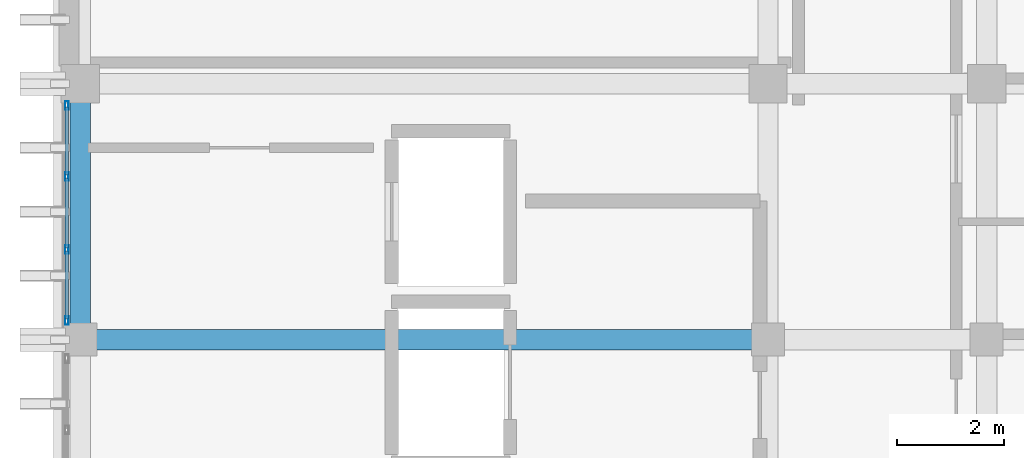
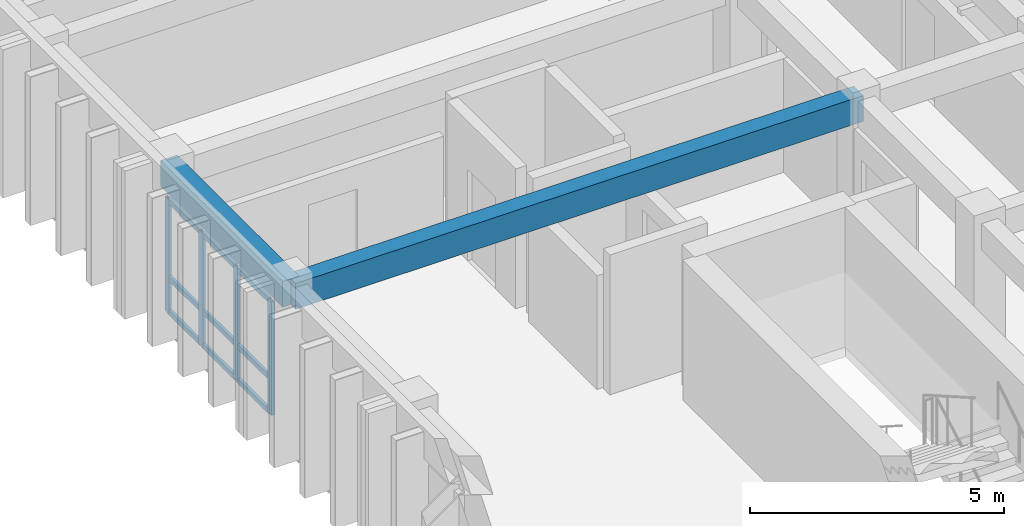
# One storey, part 25 of 59: 13 members, 2 beams, 1 element without a shape of its own.
"""IFC4 building model written with IfcOpenShell, lengths in metres."""

from ifc_helpers import new_model, si_unit, direction, frame, origin, origin_2d, place, context, subcontext, project, spatial, rectangle, hollow_rectangle, extrude, material, layer, layer_set, material_profile, profile_set, type_object, element, aggregate, save


model = new_model("IFC4")

# Units and contexts
model_context = context("Model", 3, precision=1e-05, world=origin(), true_north=direction((0.0, 1.0)))
body_context = subcontext(model_context, "Body", "Model", "MODEL_VIEW")
ifc_project = project(units=[si_unit("LENGTHUNIT", "METRE"), si_unit("AREAUNIT", "SQUARE_METRE"), si_unit("VOLUMEUNIT", "CUBIC_METRE"), si_unit("PLANEANGLEUNIT", "RADIAN"), si_unit("MASSUNIT", "GRAM", prefix="KILO")], contexts=[model_context])

# Site, building, storey
site_placement = place(None, origin())
site = spatial("IfcSite", under=ifc_project, at=site_placement, CompositionType="ELEMENT")
building_placement = place(site_placement, origin())
building = spatial("IfcBuilding", under=site, at=building_placement, Name="Nakhvara Creek Congress Hotel", CompositionType="ELEMENT")
storey_placement = place(building_placement, frame((0.0, 0.0, 31.800048828125)))
storey = spatial("IfcBuildingStorey", under=building, at=storey_placement, Name="L07", CompositionType="ELEMENT", Elevation=31.800048828125)

# Beams
ifc_material_1 = material(Name="Concrete C40/50", Category="concrete")
ifc_material_profile_1 = material_profile(ifc_material_1, rectangle(XDim=0.3798828125, YDim=0.6201171875, at=origin_2d()), Name="RC-BM 380x620", Category="LoadBearing")
ifc_profile_set_1 = profile_set([ifc_material_profile_1], Name="Concrete C40/50")
beam_type = type_object("IfcBeamType", Name="BM-RC-380X620", PredefinedType="BEAM", material=ifc_profile_set_1)
beam_1_placement = place(storey_placement, frame((149.449951171875, 91.199951171875, 3.050048828125), z_axis=(0.0, 1.0, 0.0), x_axis=(-1.0, 0.0, 0.0)))
element("IfcBeam", 1, at=beam_1_placement, inside=storey, type_object=beam_type, Name="Beam B10-L07-2332", PredefinedType="BEAM", context=body_context, shape_type="SweptSolid", body=[
    extrude(rectangle(XDim=0.3798828125, YDim=0.6201171875, at=origin_2d()), origin(), (0.0, 0.0, 1.0), 4.800048828125),
])
beam_2_placement = place(storey_placement, frame((149.449951171875, 91.199951171875, 3.050048828125), z_axis=(1.0, 0.0, 0.0), x_axis=(0.0, 1.0, 0.0)))
element("IfcBeam", 2, at=beam_2_placement, inside=storey, type_object=beam_type, Name="Beam B10-L07-2410", PredefinedType="BEAM", context=body_context, shape_type="SweptSolid", body=[
    extrude(rectangle(XDim=0.3798828125, YDim=0.6201171875, at=origin_2d()), origin(), (0.0, 0.0, 1.0), 12.900146484375),
])

# Curtain wall, members
ifc_material_2 = material(Name="Bronze-anodised aluminium AW-6063-T6 and double-silver low-E glass", Category="aluminium")
ifc_layer = layer(ifc_material_2, 0.199951171875)
ifc_layer_set = layer_set([ifc_layer], Name="Bronze-anodised aluminium AW-6063-T6 and double-silver low-E glass")
curtain_wall_type = type_object("IfcCurtainWallType", Name="CW-HTL-UNIT", PredefinedType="USERDEFINED", material=ifc_layer_set)
curtain_wall_placement = place(storey_placement, origin())
curtain_wall = element("IfcCurtainWall", 3, at=curtain_wall_placement, inside=storey, type_object=curtain_wall_type, Name="Curtain Wall CW266", ObjectType="UNITISED", PredefinedType="USERDEFINED")
ifc_material_3 = material(Name="Bronze-anodised aluminium AW-6063-T6", Category="aluminium")
ifc_material_profile_2 = material_profile(ifc_material_3, hollow_rectangle(XDim=0.06494140625, YDim=0.159912109375, WallThickness=0.00390625, at=origin_2d()), Name="ALU-MULL 65x160x4", Category="LoadBearing")
ifc_profile_set_2 = profile_set([ifc_material_profile_2], Name="Bronze-anodised aluminium AW-6063-T6")
member_type_1 = type_object("IfcMemberType", Name="CW-MULL-160", PredefinedType="MULLION", material=ifc_profile_set_2)
member_1_placement = place(storey_placement, frame((149.199951171875, 91.5576171875, 0.0), z_axis=(0.0, 0.0, 1.0), x_axis=(-1.0, 0.0, 0.0)))
member_1 = element("IfcMember", 4, at=member_1_placement, type_object=member_type_1, Name="CW266 mullion 1", PredefinedType="MULLION", context=body_context, shape_type="SweptSolid", body=[
    extrude(hollow_rectangle(XDim=0.06494140625, YDim=0.159912109375, WallThickness=0.00390625, at=origin_2d()), origin(), (0.0, 0.0, 1.0), 2.73193359375),
])
member_2_placement = place(storey_placement, frame((149.199951171875, 92.8916015625, 0.0), z_axis=(0.0, 0.0, 1.0), x_axis=(-1.0, 0.0, 0.0)))
member_2 = element("IfcMember", 5, at=member_2_placement, type_object=member_type_1, Name="CW266 mullion 2", PredefinedType="MULLION", context=body_context, shape_type="SweptSolid", body=[
    extrude(hollow_rectangle(XDim=0.06494140625, YDim=0.159912109375, WallThickness=0.00390625, at=origin_2d()), origin(), (0.0, 0.0, 1.0), 2.73193359375),
])
member_3_placement = place(storey_placement, frame((149.199951171875, 94.25830078125, 0.0), z_axis=(0.0, 0.0, 1.0), x_axis=(-1.0, 0.0, 0.0)))
member_3 = element("IfcMember", 6, at=member_3_placement, type_object=member_type_1, Name="CW266 mullion 3", PredefinedType="MULLION", context=body_context, shape_type="SweptSolid", body=[
    extrude(hollow_rectangle(XDim=0.06494140625, YDim=0.159912109375, WallThickness=0.00390625, at=origin_2d()), origin(), (0.0, 0.0, 1.0), 2.73193359375),
])
member_4_placement = place(storey_placement, frame((149.199951171875, 95.592529296875, 0.0), z_axis=(0.0, 0.0, 1.0), x_axis=(-1.0, 0.0, 0.0)))
member_4 = element("IfcMember", 7, at=member_4_placement, type_object=member_type_1, Name="CW266 mullion 4", PredefinedType="MULLION", context=body_context, shape_type="SweptSolid", body=[
    extrude(hollow_rectangle(XDim=0.06494140625, YDim=0.159912109375, WallThickness=0.00390625, at=origin_2d()), origin(), (0.0, 0.0, 1.0), 2.73193359375),
])
ifc_material_profile_3 = material_profile(ifc_material_3, hollow_rectangle(XDim=0.06494140625, YDim=0.1201171875, WallThickness=0.00390625, at=origin_2d()), Name="ALU-TRAN 65x120x4", Category="LoadBearing")
ifc_profile_set_3 = profile_set([ifc_material_profile_3], Name="Bronze-anodised aluminium AW-6063-T6")
member_type_2 = type_object("IfcMemberType", Name="CW-TRAN-120", PredefinedType="USERDEFINED", material=ifc_profile_set_3)
member_5_placement = place(storey_placement, frame((149.199951171875, 91.590087890625, 0.032470703125), z_axis=(0.0, 1.0, 0.0), x_axis=(-1.0, 0.0, 0.0)))
member_5 = element("IfcMember", 8, at=member_5_placement, type_object=member_type_2, Name="CW266 transom 1.1", ObjectType="TRANSOM", PredefinedType="USERDEFINED", context=body_context, shape_type="SweptSolid", body=[
    extrude(hollow_rectangle(XDim=0.06494140625, YDim=0.1201171875, WallThickness=0.00390625, at=origin_2d()), origin(), (0.0, 0.0, 1.0), 1.26904296875),
])
member_6_placement = place(storey_placement, frame((149.199951171875, 91.590087890625, 0.849853515625), z_axis=(0.0, 1.0, 0.0), x_axis=(-1.0, 0.0, 0.0)))
member_6 = element("IfcMember", 9, at=member_6_placement, type_object=member_type_2, Name="CW266 transom 1.2", ObjectType="TRANSOM", PredefinedType="USERDEFINED", context=body_context, shape_type="SweptSolid", body=[
    extrude(hollow_rectangle(XDim=0.06494140625, YDim=0.1201171875, WallThickness=0.00390625, at=origin_2d()), origin(), (0.0, 0.0, 1.0), 1.26904296875),
])
member_7_placement = place(storey_placement, frame((149.199951171875, 91.590087890625, 2.699462890625), z_axis=(0.0, 1.0, 0.0), x_axis=(-1.0, 0.0, 0.0)))
member_7 = element("IfcMember", 10, at=member_7_placement, type_object=member_type_2, Name="CW266 transom 1.3", ObjectType="TRANSOM", PredefinedType="USERDEFINED", context=body_context, shape_type="SweptSolid", body=[
    extrude(hollow_rectangle(XDim=0.06494140625, YDim=0.1201171875, WallThickness=0.00390625, at=origin_2d()), origin(), (0.0, 0.0, 1.0), 1.26904296875),
])
member_8_placement = place(storey_placement, frame((149.199951171875, 92.924072265625, 0.032470703125), z_axis=(0.0, 1.0, 0.0), x_axis=(-1.0, 0.0, 0.0)))
member_8 = element("IfcMember", 11, at=member_8_placement, type_object=member_type_2, Name="CW266 transom 2.1", ObjectType="TRANSOM", PredefinedType="USERDEFINED", context=body_context, shape_type="SweptSolid", body=[
    extrude(hollow_rectangle(XDim=0.06494140625, YDim=0.1201171875, WallThickness=0.00390625, at=origin_2d()), origin(), (0.0, 0.0, 1.0), 1.3017578125),
])
member_9_placement = place(storey_placement, frame((149.199951171875, 92.924072265625, 0.849853515625), z_axis=(0.0, 1.0, 0.0), x_axis=(-1.0, 0.0, 0.0)))
member_9 = element("IfcMember", 12, at=member_9_placement, type_object=member_type_2, Name="CW266 transom 2.2", ObjectType="TRANSOM", PredefinedType="USERDEFINED", context=body_context, shape_type="SweptSolid", body=[
    extrude(hollow_rectangle(XDim=0.06494140625, YDim=0.1201171875, WallThickness=0.00390625, at=origin_2d()), origin(), (0.0, 0.0, 1.0), 1.3017578125),
])
member_10_placement = place(storey_placement, frame((149.199951171875, 92.924072265625, 2.699462890625), z_axis=(0.0, 1.0, 0.0), x_axis=(-1.0, 0.0, 0.0)))
member_10 = element("IfcMember", 13, at=member_10_placement, type_object=member_type_2, Name="CW266 transom 2.3", ObjectType="TRANSOM", PredefinedType="USERDEFINED", context=body_context, shape_type="SweptSolid", body=[
    extrude(hollow_rectangle(XDim=0.06494140625, YDim=0.1201171875, WallThickness=0.00390625, at=origin_2d()), origin(), (0.0, 0.0, 1.0), 1.3017578125),
])
member_11_placement = place(storey_placement, frame((149.199951171875, 94.290771484375, 0.032470703125), z_axis=(0.0, 1.0, 0.0), x_axis=(-1.0, 0.0, 0.0)))
member_11 = element("IfcMember", 14, at=member_11_placement, type_object=member_type_2, Name="CW266 transom 3.1", ObjectType="TRANSOM", PredefinedType="USERDEFINED", context=body_context, shape_type="SweptSolid", body=[
    extrude(hollow_rectangle(XDim=0.06494140625, YDim=0.1201171875, WallThickness=0.00390625, at=origin_2d()), origin(), (0.0, 0.0, 1.0), 1.269287109375),
])
member_12_placement = place(storey_placement, frame((149.199951171875, 94.290771484375, 0.849853515625), z_axis=(0.0, 1.0, 0.0), x_axis=(-1.0, 0.0, 0.0)))
member_12 = element("IfcMember", 15, at=member_12_placement, type_object=member_type_2, Name="CW266 transom 3.2", ObjectType="TRANSOM", PredefinedType="USERDEFINED", context=body_context, shape_type="SweptSolid", body=[
    extrude(hollow_rectangle(XDim=0.06494140625, YDim=0.1201171875, WallThickness=0.00390625, at=origin_2d()), origin(), (0.0, 0.0, 1.0), 1.269287109375),
])
member_13_placement = place(storey_placement, frame((149.199951171875, 94.290771484375, 2.699462890625), z_axis=(0.0, 1.0, 0.0), x_axis=(-1.0, 0.0, 0.0)))
member_13 = element("IfcMember", 16, at=member_13_placement, type_object=member_type_2, Name="CW266 transom 3.3", ObjectType="TRANSOM", PredefinedType="USERDEFINED", context=body_context, shape_type="SweptSolid", body=[
    extrude(hollow_rectangle(XDim=0.06494140625, YDim=0.1201171875, WallThickness=0.00390625, at=origin_2d()), origin(), (0.0, 0.0, 1.0), 1.269287109375),
])
aggregate(curtain_wall, [member_1, member_2, member_3, member_4, member_5, member_6, member_7, member_8, member_9, member_10, member_11, member_12, member_13])

save(model, "model.ifc")
